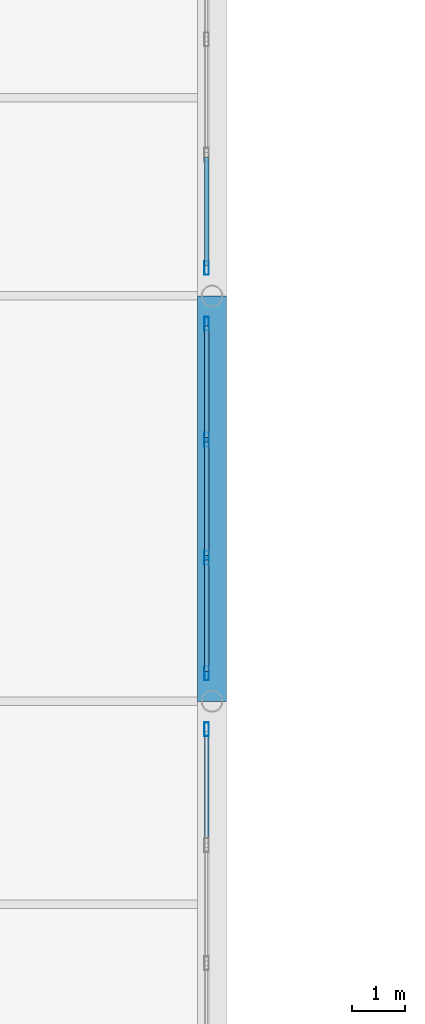
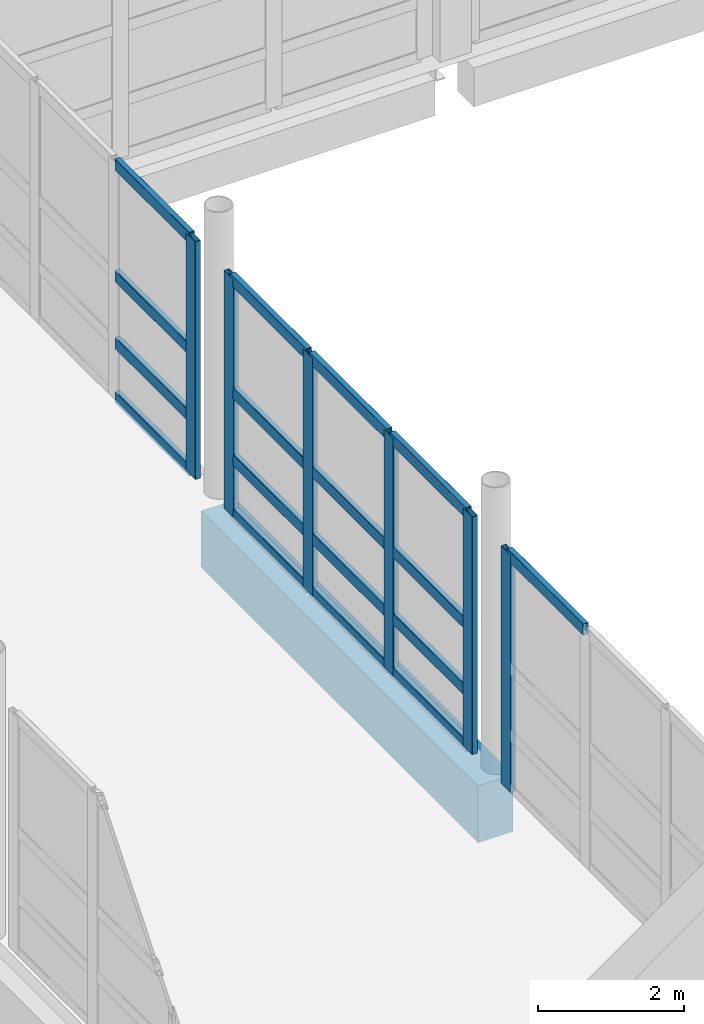
# One storey, part 22 of 147: 23 members, 1 beam, 3 elements without a shape of their own.
"""IFC4 building model written with IfcOpenShell, lengths in metres."""

from ifc_helpers import new_model, si_unit, direction, frame, origin, origin_2d, place, context, subcontext, project, spatial, rectangle, hollow_rectangle, extrude, material, material_profile, profile_set, type_object, element, aggregate, save


model = new_model("IFC4")

# Units and contexts
model_context = context("Model", 3, precision=1e-05, world=origin(), true_north=direction((0.0, 1.0)))
body_context = subcontext(model_context, "Body", "Model", "MODEL_VIEW")
ifc_project = project(units=[si_unit("LENGTHUNIT", "METRE"), si_unit("AREAUNIT", "SQUARE_METRE"), si_unit("VOLUMEUNIT", "CUBIC_METRE"), si_unit("PLANEANGLEUNIT", "RADIAN"), si_unit("MASSUNIT", "GRAM", prefix="KILO")], contexts=[model_context])

# Site, building, storey
site_placement = place(None, origin())
site = spatial("IfcSite", under=ifc_project, at=site_placement, CompositionType="ELEMENT")
building_placement = place(site_placement, origin())
building = spatial("IfcBuilding", under=site, at=building_placement, Name="Khelvaren Railside Concert Hall", CompositionType="ELEMENT")
storey_placement = place(building_placement, frame((0.0, 0.0, 5.39990234375)))
storey = spatial("IfcBuildingStorey", under=building, at=storey_placement, Name="L01", CompositionType="ELEMENT", Elevation=5.39990234375)

# Curtain wall, member
ifc_material_1 = material(Name="Acoustic laminated crystal facade glass", Category="glass")
curtain_wall_type = type_object("IfcCurtainWallType", Name="CW78", PredefinedType="USERDEFINED", material=ifc_material_1)
curtain_wall_1_placement = place(storey_placement, origin())
curtain_wall_1 = element("IfcCurtainWall", 1, at=curtain_wall_1_placement, inside=storey, type_object=curtain_wall_type, Name="Unitised Curtain Wall CW-LB3-L01-E1", ObjectType="UNITISED CURTAIN WALL", PredefinedType="USERDEFINED")
ifc_material_2 = material(Name="Anodised architectural aluminium 6063-T6", Category="aluminium")
ifc_material_profile_1 = material_profile(ifc_material_2, hollow_rectangle(XDim=0.0849609375, YDim=0.260009765625, WallThickness=0.0048828125, InnerFilletRadius=0.0029296875, OuterFilletRadius=0.0048828125, at=origin_2d()), Name="CWM 85x260x5")
ifc_profile_set_1 = profile_set([ifc_material_profile_1], Name="Anodised architectural aluminium 6063-T6")
member_type_1 = type_object("IfcMemberType", Name="CWM40", PredefinedType="MULLION", material=ifc_profile_set_1)
member_1_placement = place(storey_placement, frame((15.89990234375, 52.677490234375, 0.0), z_axis=(0.0, 0.0, 1.0), x_axis=(1.0, 0.0, 0.0)))
member_1 = element("IfcMember", 2, at=member_1_placement, type_object=member_type_1, Name="CW78 mullion 1", PredefinedType="MULLION", context=body_context, shape_type="SweptSolid", body=[
    extrude(hollow_rectangle(XDim=0.0849609375, YDim=0.260009765625, WallThickness=0.0048828125, InnerFilletRadius=0.0029296875, OuterFilletRadius=0.0048828125, at=origin_2d()), origin(), (0.0, 0.0, 1.0), 3.97998046875),
])

# Curtain wall, members
curtain_wall_2_placement = place(storey_placement, origin())
curtain_wall_2 = element("IfcCurtainWall", 3, at=curtain_wall_2_placement, inside=storey, type_object=curtain_wall_type, Name="Unitised Curtain Wall CW-LB3-L01-E2", ObjectType="UNITISED CURTAIN WALL", PredefinedType="USERDEFINED")
member_2_placement = place(storey_placement, frame((15.89990234375, 60.277587890625, 0.0), z_axis=(0.0, 0.0, 1.0), x_axis=(1.0, 0.0, 0.0)))
member_2 = element("IfcMember", 4, at=member_2_placement, type_object=member_type_1, Name="CW78 mullion 1", PredefinedType="MULLION", context=body_context, shape_type="SweptSolid", body=[
    extrude(hollow_rectangle(XDim=0.0849609375, YDim=0.260009765625, WallThickness=0.0048828125, InnerFilletRadius=0.0029296875, OuterFilletRadius=0.0048828125, at=origin_2d()), origin(), (0.0, 0.0, 1.0), 3.97998046875),
])
member_3_placement = place(storey_placement, frame((15.89990234375, 58.106689453125, 0.0), z_axis=(0.0, 0.0, 1.0), x_axis=(1.0, 0.0, 0.0)))
member_3 = element("IfcMember", 5, at=member_3_placement, type_object=member_type_1, Name="CW78 mullion 2", PredefinedType="MULLION", context=body_context, shape_type="SweptSolid", body=[
    extrude(hollow_rectangle(XDim=0.0849609375, YDim=0.260009765625, WallThickness=0.0048828125, InnerFilletRadius=0.0029296875, OuterFilletRadius=0.0048828125, at=origin_2d()), origin(), (0.0, 0.0, 1.0), 3.97998046875),
])
member_4_placement = place(storey_placement, frame((15.89990234375, 55.893310546875, 0.0), z_axis=(0.0, 0.0, 1.0), x_axis=(1.0, 0.0, 0.0)))
member_4 = element("IfcMember", 6, at=member_4_placement, type_object=member_type_1, Name="CW78 mullion 3", PredefinedType="MULLION", context=body_context, shape_type="SweptSolid", body=[
    extrude(hollow_rectangle(XDim=0.0849609375, YDim=0.260009765625, WallThickness=0.0048828125, InnerFilletRadius=0.0029296875, OuterFilletRadius=0.0048828125, at=origin_2d()), origin(), (0.0, 0.0, 1.0), 3.97998046875),
])
member_5_placement = place(storey_placement, frame((15.89990234375, 53.722412109375, 0.0), z_axis=(0.0, 0.0, 1.0), x_axis=(1.0, 0.0, 0.0)))
member_5 = element("IfcMember", 7, at=member_5_placement, type_object=member_type_1, Name="CW78 mullion 4", PredefinedType="MULLION", context=body_context, shape_type="SweptSolid", body=[
    extrude(hollow_rectangle(XDim=0.0849609375, YDim=0.260009765625, WallThickness=0.0048828125, InnerFilletRadius=0.0029296875, OuterFilletRadius=0.0048828125, at=origin_2d()), origin(), (0.0, 0.0, 1.0), 3.97998046875),
])

# Curtain wall, member
curtain_wall_3_placement = place(storey_placement, origin())
curtain_wall_3 = element("IfcCurtainWall", 8, at=curtain_wall_3_placement, inside=storey, type_object=curtain_wall_type, Name="Unitised Curtain Wall CW-LB3-L01-E3", ObjectType="UNITISED CURTAIN WALL", PredefinedType="USERDEFINED")
member_6_placement = place(storey_placement, frame((15.89990234375, 61.322509765625, 0.0), z_axis=(0.0, 0.0, 1.0), x_axis=(1.0, 0.0, 0.0)))
member_6 = element("IfcMember", 9, at=member_6_placement, type_object=member_type_1, Name="CW78 mullion 4", PredefinedType="MULLION", context=body_context, shape_type="SweptSolid", body=[
    extrude(hollow_rectangle(XDim=0.0849609375, YDim=0.260009765625, WallThickness=0.0048828125, InnerFilletRadius=0.0029296875, OuterFilletRadius=0.0048828125, at=origin_2d()), origin(), (0.0, 0.0, 1.0), 3.97998046875),
])

# Member
ifc_material_profile_2 = material_profile(ifc_material_2, hollow_rectangle(XDim=0.0849609375, YDim=0.18994140625, WallThickness=0.0048828125, InnerFilletRadius=0.0029296875, OuterFilletRadius=0.0048828125, at=origin_2d()), Name="CWT 85x190x5")
ifc_profile_set_2 = profile_set([ifc_material_profile_2], Name="Anodised architectural aluminium 6063-T6")
member_type_2 = type_object("IfcMemberType", Name="CWT31", PredefinedType="USERDEFINED", material=ifc_profile_set_2)
member_7_placement = place(storey_placement, frame((15.89990234375, 52.635009765625, 3.9375), z_axis=(0.0, -1.0, 0.0), x_axis=(1.0, 0.0, 0.0)))
member_7 = element("IfcMember", 10, at=member_7_placement, type_object=member_type_2, Name="CW78 transom 1.4", ObjectType="TRANSOM", PredefinedType="USERDEFINED", context=body_context, shape_type="SweptSolid", body=[
    extrude(hollow_rectangle(XDim=0.0849609375, YDim=0.18994140625, WallThickness=0.0048828125, InnerFilletRadius=0.0029296875, OuterFilletRadius=0.0048828125, at=origin_2d()), origin(), (0.0, 0.0, 1.0), 2.0859375),
])

aggregate(curtain_wall_1, [member_1, member_7])

member_8_placement = place(storey_placement, frame((15.89990234375, 60.235107421875, 0.04248046875), z_axis=(0.0, -1.0, 0.0), x_axis=(1.0, 0.0, 0.0)))
member_8 = element("IfcMember", 11, at=member_8_placement, type_object=member_type_2, Name="CW78 transom 1.1", ObjectType="TRANSOM", PredefinedType="USERDEFINED", context=body_context, shape_type="SweptSolid", body=[
    extrude(hollow_rectangle(XDim=0.0849609375, YDim=0.18994140625, WallThickness=0.0048828125, InnerFilletRadius=0.0029296875, OuterFilletRadius=0.0048828125, at=origin_2d()), origin(), (0.0, 0.0, 1.0), 2.0859375),
])

member_9_placement = place(storey_placement, frame((15.89990234375, 60.235107421875, 0.9501953125), z_axis=(0.0, -1.0, 0.0), x_axis=(1.0, 0.0, 0.0)))
member_9 = element("IfcMember", 12, at=member_9_placement, type_object=member_type_2, Name="CW78 transom 1.2", ObjectType="TRANSOM", PredefinedType="USERDEFINED", context=body_context, shape_type="SweptSolid", body=[
    extrude(hollow_rectangle(XDim=0.0849609375, YDim=0.18994140625, WallThickness=0.0048828125, InnerFilletRadius=0.0029296875, OuterFilletRadius=0.0048828125, at=origin_2d()), origin(), (0.0, 0.0, 1.0), 2.0859375),
])

member_10_placement = place(storey_placement, frame((15.89990234375, 60.235107421875, 2.069580078125), z_axis=(0.0, -1.0, 0.0), x_axis=(1.0, 0.0, 0.0)))
member_10 = element("IfcMember", 13, at=member_10_placement, type_object=member_type_2, Name="CW78 transom 1.3", ObjectType="TRANSOM", PredefinedType="USERDEFINED", context=body_context, shape_type="SweptSolid", body=[
    extrude(hollow_rectangle(XDim=0.0849609375, YDim=0.18994140625, WallThickness=0.0048828125, InnerFilletRadius=0.0029296875, OuterFilletRadius=0.0048828125, at=origin_2d()), origin(), (0.0, 0.0, 1.0), 2.0859375),
])

member_11_placement = place(storey_placement, frame((15.89990234375, 60.235107421875, 3.9375), z_axis=(0.0, -1.0, 0.0), x_axis=(1.0, 0.0, 0.0)))
member_11 = element("IfcMember", 14, at=member_11_placement, type_object=member_type_2, Name="CW78 transom 1.4", ObjectType="TRANSOM", PredefinedType="USERDEFINED", context=body_context, shape_type="SweptSolid", body=[
    extrude(hollow_rectangle(XDim=0.0849609375, YDim=0.18994140625, WallThickness=0.0048828125, InnerFilletRadius=0.0029296875, OuterFilletRadius=0.0048828125, at=origin_2d()), origin(), (0.0, 0.0, 1.0), 2.0859375),
])

member_12_placement = place(storey_placement, frame((15.89990234375, 58.064208984375, 0.04248046875), z_axis=(0.0, -1.0, 0.0), x_axis=(1.0, 0.0, 0.0)))
member_12 = element("IfcMember", 15, at=member_12_placement, type_object=member_type_2, Name="CW78 transom 2.1", ObjectType="TRANSOM", PredefinedType="USERDEFINED", context=body_context, shape_type="SweptSolid", body=[
    extrude(hollow_rectangle(XDim=0.0849609375, YDim=0.18994140625, WallThickness=0.0048828125, InnerFilletRadius=0.0029296875, OuterFilletRadius=0.0048828125, at=origin_2d()), origin(), (0.0, 0.0, 1.0), 2.12841796875),
])

member_13_placement = place(storey_placement, frame((15.89990234375, 58.064208984375, 0.9501953125), z_axis=(0.0, -1.0, 0.0), x_axis=(1.0, 0.0, 0.0)))
member_13 = element("IfcMember", 16, at=member_13_placement, type_object=member_type_2, Name="CW78 transom 2.2", ObjectType="TRANSOM", PredefinedType="USERDEFINED", context=body_context, shape_type="SweptSolid", body=[
    extrude(hollow_rectangle(XDim=0.0849609375, YDim=0.18994140625, WallThickness=0.0048828125, InnerFilletRadius=0.0029296875, OuterFilletRadius=0.0048828125, at=origin_2d()), origin(), (0.0, 0.0, 1.0), 2.12841796875),
])

member_14_placement = place(storey_placement, frame((15.89990234375, 58.064208984375, 2.069580078125), z_axis=(0.0, -1.0, 0.0), x_axis=(1.0, 0.0, 0.0)))
member_14 = element("IfcMember", 17, at=member_14_placement, type_object=member_type_2, Name="CW78 transom 2.3", ObjectType="TRANSOM", PredefinedType="USERDEFINED", context=body_context, shape_type="SweptSolid", body=[
    extrude(hollow_rectangle(XDim=0.0849609375, YDim=0.18994140625, WallThickness=0.0048828125, InnerFilletRadius=0.0029296875, OuterFilletRadius=0.0048828125, at=origin_2d()), origin(), (0.0, 0.0, 1.0), 2.12841796875),
])

member_15_placement = place(storey_placement, frame((15.89990234375, 58.064208984375, 3.9375), z_axis=(0.0, -1.0, 0.0), x_axis=(1.0, 0.0, 0.0)))
member_15 = element("IfcMember", 18, at=member_15_placement, type_object=member_type_2, Name="CW78 transom 2.4", ObjectType="TRANSOM", PredefinedType="USERDEFINED", context=body_context, shape_type="SweptSolid", body=[
    extrude(hollow_rectangle(XDim=0.0849609375, YDim=0.18994140625, WallThickness=0.0048828125, InnerFilletRadius=0.0029296875, OuterFilletRadius=0.0048828125, at=origin_2d()), origin(), (0.0, 0.0, 1.0), 2.12841796875),
])

member_16_placement = place(storey_placement, frame((15.89990234375, 55.850830078125, 0.04248046875), z_axis=(0.0, -1.0, 0.0), x_axis=(1.0, 0.0, 0.0)))
member_16 = element("IfcMember", 19, at=member_16_placement, type_object=member_type_2, Name="CW78 transom 3.1", ObjectType="TRANSOM", PredefinedType="USERDEFINED", context=body_context, shape_type="SweptSolid", body=[
    extrude(hollow_rectangle(XDim=0.0849609375, YDim=0.18994140625, WallThickness=0.0048828125, InnerFilletRadius=0.0029296875, OuterFilletRadius=0.0048828125, at=origin_2d()), origin(), (0.0, 0.0, 1.0), 2.0859375),
])

member_17_placement = place(storey_placement, frame((15.89990234375, 55.850830078125, 0.9501953125), z_axis=(0.0, -1.0, 0.0), x_axis=(1.0, 0.0, 0.0)))
member_17 = element("IfcMember", 20, at=member_17_placement, type_object=member_type_2, Name="CW78 transom 3.2", ObjectType="TRANSOM", PredefinedType="USERDEFINED", context=body_context, shape_type="SweptSolid", body=[
    extrude(hollow_rectangle(XDim=0.0849609375, YDim=0.18994140625, WallThickness=0.0048828125, InnerFilletRadius=0.0029296875, OuterFilletRadius=0.0048828125, at=origin_2d()), origin(), (0.0, 0.0, 1.0), 2.0859375),
])

member_18_placement = place(storey_placement, frame((15.89990234375, 55.850830078125, 2.069580078125), z_axis=(0.0, -1.0, 0.0), x_axis=(1.0, 0.0, 0.0)))
member_18 = element("IfcMember", 21, at=member_18_placement, type_object=member_type_2, Name="CW78 transom 3.3", ObjectType="TRANSOM", PredefinedType="USERDEFINED", context=body_context, shape_type="SweptSolid", body=[
    extrude(hollow_rectangle(XDim=0.0849609375, YDim=0.18994140625, WallThickness=0.0048828125, InnerFilletRadius=0.0029296875, OuterFilletRadius=0.0048828125, at=origin_2d()), origin(), (0.0, 0.0, 1.0), 2.0859375),
])

member_19_placement = place(storey_placement, frame((15.89990234375, 55.850830078125, 3.9375), z_axis=(0.0, -1.0, 0.0), x_axis=(1.0, 0.0, 0.0)))
member_19 = element("IfcMember", 22, at=member_19_placement, type_object=member_type_2, Name="CW78 transom 3.4", ObjectType="TRANSOM", PredefinedType="USERDEFINED", context=body_context, shape_type="SweptSolid", body=[
    extrude(hollow_rectangle(XDim=0.0849609375, YDim=0.18994140625, WallThickness=0.0048828125, InnerFilletRadius=0.0029296875, OuterFilletRadius=0.0048828125, at=origin_2d()), origin(), (0.0, 0.0, 1.0), 2.0859375),
])

aggregate(curtain_wall_2, [member_2, member_3, member_4, member_5, member_8, member_9, member_10, member_11, member_12, member_13, member_14, member_15, member_16, member_17, member_18, member_19])

member_20_placement = place(storey_placement, frame((15.89990234375, 63.40087890625, 0.04248046875), z_axis=(0.0, -1.0, 0.0), x_axis=(1.0, 0.0, 0.0)))
member_20 = element("IfcMember", 23, at=member_20_placement, type_object=member_type_2, Name="CW78 transom 3.1", ObjectType="TRANSOM", PredefinedType="USERDEFINED", context=body_context, shape_type="SweptSolid", body=[
    extrude(hollow_rectangle(XDim=0.0849609375, YDim=0.18994140625, WallThickness=0.0048828125, InnerFilletRadius=0.0029296875, OuterFilletRadius=0.0048828125, at=origin_2d()), origin(), (0.0, 0.0, 1.0), 2.035888671875),
])

member_21_placement = place(storey_placement, frame((15.89990234375, 63.40087890625, 0.9501953125), z_axis=(0.0, -1.0, 0.0), x_axis=(1.0, 0.0, 0.0)))
member_21 = element("IfcMember", 24, at=member_21_placement, type_object=member_type_2, Name="CW78 transom 3.2", ObjectType="TRANSOM", PredefinedType="USERDEFINED", context=body_context, shape_type="SweptSolid", body=[
    extrude(hollow_rectangle(XDim=0.0849609375, YDim=0.18994140625, WallThickness=0.0048828125, InnerFilletRadius=0.0029296875, OuterFilletRadius=0.0048828125, at=origin_2d()), origin(), (0.0, 0.0, 1.0), 2.035888671875),
])

member_22_placement = place(storey_placement, frame((15.89990234375, 63.40087890625, 2.069580078125), z_axis=(0.0, -1.0, 0.0), x_axis=(1.0, 0.0, 0.0)))
member_22 = element("IfcMember", 25, at=member_22_placement, type_object=member_type_2, Name="CW78 transom 3.3", ObjectType="TRANSOM", PredefinedType="USERDEFINED", context=body_context, shape_type="SweptSolid", body=[
    extrude(hollow_rectangle(XDim=0.0849609375, YDim=0.18994140625, WallThickness=0.0048828125, InnerFilletRadius=0.0029296875, OuterFilletRadius=0.0048828125, at=origin_2d()), origin(), (0.0, 0.0, 1.0), 2.035888671875),
])

member_23_placement = place(storey_placement, frame((15.89990234375, 63.40087890625, 3.9375), z_axis=(0.0, -1.0, 0.0), x_axis=(1.0, 0.0, 0.0)))
member_23 = element("IfcMember", 26, at=member_23_placement, type_object=member_type_2, Name="CW78 transom 3.4", ObjectType="TRANSOM", PredefinedType="USERDEFINED", context=body_context, shape_type="SweptSolid", body=[
    extrude(hollow_rectangle(XDim=0.0849609375, YDim=0.18994140625, WallThickness=0.0048828125, InnerFilletRadius=0.0029296875, OuterFilletRadius=0.0048828125, at=origin_2d()), origin(), (0.0, 0.0, 1.0), 2.035888671875),
])

aggregate(curtain_wall_3, [member_6, member_20, member_21, member_22, member_23])

# Beam
ifc_material_3 = material(Name="Concrete C40/50", Category="concrete")
ifc_material_profile_3 = material_profile(ifc_material_3, rectangle(XDim=0.550048828125, YDim=0.949951171875, at=origin_2d()), Name="RCB 550x950")
ifc_profile_set_3 = profile_set([ifc_material_profile_3], Name="Concrete C40/50")
beam_type = type_object("IfcBeamType", Name="GR75", PredefinedType="T_BEAM", material=ifc_profile_set_3)
beam_placement = place(storey_placement, frame((16.0, 53.199951171875, -0.71484375), z_axis=(0.0, 1.0, 0.0), x_axis=(-1.0, 0.0, 0.0)))
element("IfcBeam", 27, at=beam_placement, inside=storey, type_object=beam_type, Name="West Court Chamber Link Bridge L01 Bridge Girder 2.2", PredefinedType="T_BEAM", context=body_context, shape_type="SweptSolid", body=[
    extrude(rectangle(XDim=0.550048828125, YDim=0.949951171875, at=origin_2d()), origin(), (0.0, 0.0, 1.0), 7.60009765625),
])

save(model, "model.ifc")
